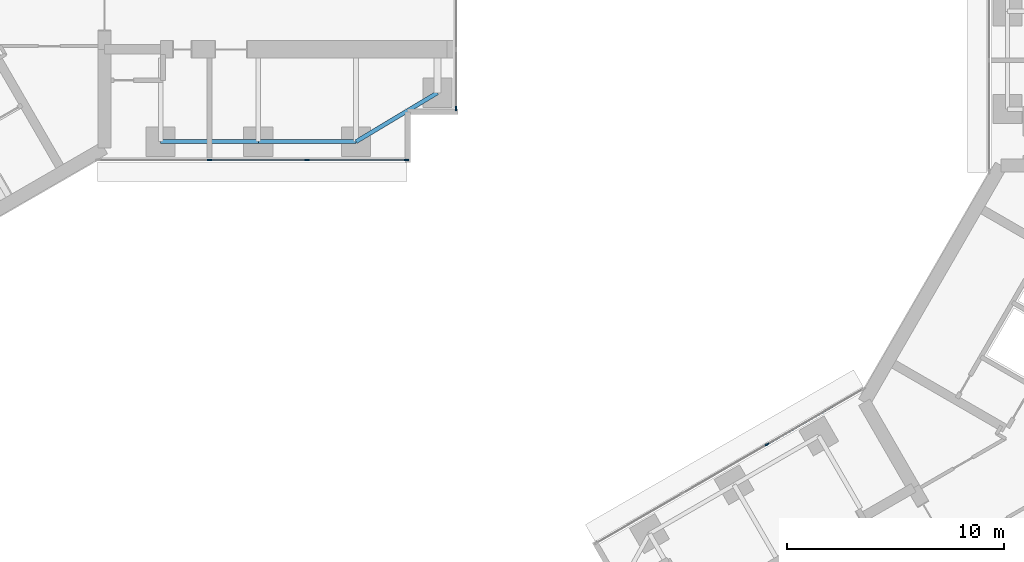
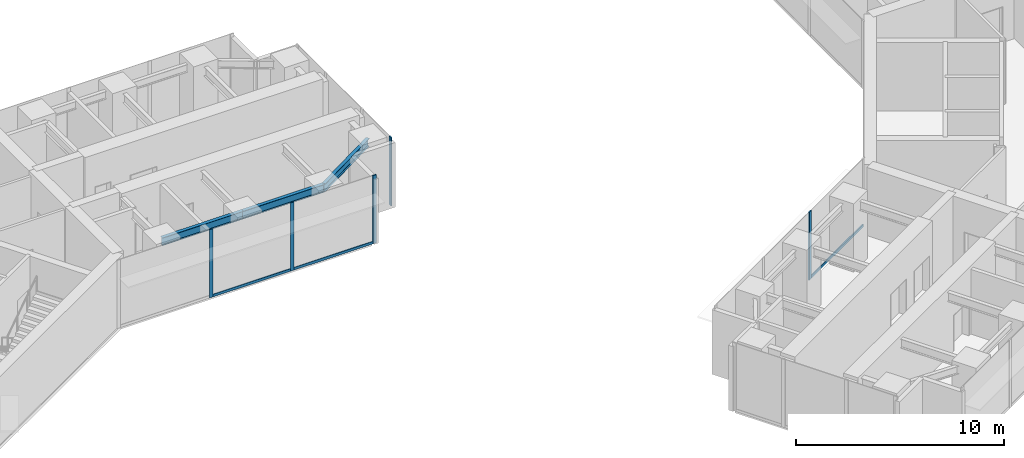
# One storey, part 4 of 21: 8 members, 3 beams, 3 elements without a shape of their own.
"""IFC4 building model written with IfcOpenShell, lengths in metres."""

from ifc_helpers import new_model, si_unit, direction, frame, origin, origin_2d, place, context, subcontext, project, spatial, rectangle, i_section, extrude, material, material_profile, profile_set, type_object, element, aggregate, save


model = new_model("IFC4")

# Units and contexts
model_context = context("Model", 3, precision=1e-05, world=origin(), true_north=direction((0.0, 1.0)))
body_context = subcontext(model_context, "Body", "Model", "MODEL_VIEW")
ifc_project = project(units=[si_unit("LENGTHUNIT", "METRE"), si_unit("AREAUNIT", "SQUARE_METRE"), si_unit("VOLUMEUNIT", "CUBIC_METRE"), si_unit("PLANEANGLEUNIT", "RADIAN"), si_unit("MASSUNIT", "GRAM", prefix="KILO")], contexts=[model_context])

# Site, building, storey
site_placement = place(None, origin())
site = spatial("IfcSite", under=ifc_project, at=site_placement, CompositionType="ELEMENT")
building_placement = place(site_placement, origin())
building = spatial("IfcBuilding", under=site, at=building_placement, Name="Upepo Twin Towers", CompositionType="ELEMENT")
storey_placement = place(building_placement, frame((0.0, 0.0, 101.5)))
storey = spatial("IfcBuildingStorey", under=building, at=storey_placement, Name="L24", CompositionType="ELEMENT", Elevation=101.5)

# Beams
ifc_material_1 = material(Name="Steel S355", Category="steel")
ifc_material_profile_1 = material_profile(ifc_material_1, i_section(OverallWidth=0.1904296875, OverallDepth=0.45703125, WebThickness=0.009033203125, FlangeThickness=0.014404296875, FilletRadius=0.01025390625, at=origin_2d()), Name="UB 457x191x74")
ifc_profile_set_1 = profile_set([ifc_material_profile_1], Name="Steel S355")
beam_type = type_object("IfcBeamType", Name="Beam UB 457x191x74", PredefinedType="BEAM", material=ifc_profile_set_1)
for number, where, z_axis, x_axis, name in (
    (1, (13.5, -6.0, 3.571533203125), (1.0, 0.0, 0.0), (0.0, 1.0, 0.0), "T1 edge beam AR 13.5-18.0"),
    (2, (18.0, -6.0, 3.571533203125), (1.0, 0.0, 0.0), (0.0, 1.0, 0.0), "T1 edge beam AR 18.0-22.5"),
):
    element("IfcBeam", number, at=place(storey_placement, frame(where, z_axis=z_axis, x_axis=x_axis)), inside=storey, type_object=beam_type, Name=name, PredefinedType="BEAM", context=body_context, shape_type="SweptSolid", body=[
        extrude(i_section(OverallWidth=0.1904296875, OverallDepth=0.45703125, WebThickness=0.009033203125, FlangeThickness=0.014404296875, FilletRadius=0.01025390625, at=origin_2d()), origin(), (0.0, 0.0, 1.0), 4.5),
    ])
beam_placement = place(storey_placement, frame((22.5, -6.0, 3.571533203125), z_axis=(0.857492925713, 0.514495755428, 0.0), x_axis=(-0.514495755428, 0.857492925713, 0.0)))
element("IfcBeam", 3, at=beam_placement, inside=storey, type_object=beam_type, Name="T1 nose edge beam AR", PredefinedType="BEAM", context=body_context, shape_type="SweptSolid", body=[
    extrude(i_section(OverallWidth=0.1904296875, OverallDepth=0.45703125, WebThickness=0.009033203125, FlangeThickness=0.014404296875, FilletRadius=0.01025390625, at=origin_2d()), origin(), (0.0, 0.0, 1.0), 4.373291015625),
])

# Curtain wall, members
ifc_material_2 = material(Name="Aluminium and fritted glass", Category="aluminium")
curtain_wall_type = type_object("IfcCurtainWallType", Name="Tower curtain wall TW2, fritted glass", PredefinedType="NOTDEFINED", material=ifc_material_2)
curtain_wall_1_placement = place(storey_placement, origin())
curtain_wall_1 = element("IfcCurtainWall", 4, at=curtain_wall_1_placement, inside=storey, type_object=curtain_wall_type, Name="T1 L24 wing A flank R curtain wall", PredefinedType="NOTDEFINED")
ifc_material_3 = material(Name="Aluminium mullion", Category="aluminium")
ifc_material_profile_2 = material_profile(ifc_material_3, rectangle(XDim=0.06494140625, YDim=0.199951171875, at=origin_2d()), Name="MULLION 65x200")
ifc_profile_set_2 = profile_set([ifc_material_profile_2], Name="Aluminium mullion")
member_type_1 = type_object("IfcMemberType", Name="Mullion 65x200 TW2", PredefinedType="MULLION", material=ifc_profile_set_2)
member_1_placement = place(storey_placement, frame((24.8173828125, -6.85009765625, 0.0), z_axis=(0.0, 0.0, 1.0), x_axis=(0.0, -1.0, 0.0)))
member_1 = element("IfcMember", 5, at=member_1_placement, type_object=member_type_1, Name="T1 L24 wing A flank R curtain wall mullion 1", PredefinedType="MULLION", context=body_context, shape_type="SweptSolid", body=[
    extrude(rectangle(XDim=0.06494140625, YDim=0.199951171875, at=origin_2d()), origin(), (0.0, 0.0, 1.0), 4.0),
])
member_2_placement = place(storey_placement, frame((20.25, -6.85009765625, 0.0), z_axis=(0.0, 0.0, 1.0), x_axis=(0.0, -1.0, 0.0)))
member_2 = element("IfcMember", 6, at=member_2_placement, type_object=member_type_1, Name="T1 L24 wing A flank R curtain wall mullion 2", PredefinedType="MULLION", context=body_context, shape_type="SweptSolid", body=[
    extrude(rectangle(XDim=0.06494140625, YDim=0.199951171875, at=origin_2d()), origin(), (0.0, 0.0, 1.0), 4.0),
])
member_3_placement = place(storey_placement, frame((15.75, -6.85009765625, 0.0), z_axis=(0.0, 0.0, 1.0), x_axis=(0.0, -1.0, 0.0)))
member_3 = element("IfcMember", 7, at=member_3_placement, type_object=member_type_1, Name="T1 L24 wing A flank R curtain wall mullion 3", PredefinedType="MULLION", context=body_context, shape_type="SweptSolid", body=[
    extrude(rectangle(XDim=0.06494140625, YDim=0.199951171875, at=origin_2d()), origin(), (0.0, 0.0, 1.0), 4.0),
])

# Curtain wall, member
curtain_wall_2_placement = place(storey_placement, origin())
curtain_wall_2 = element("IfcCurtainWall", 8, at=curtain_wall_2_placement, inside=storey, type_object=curtain_wall_type, Name="T1 L24 wing A nose curtain wall", PredefinedType="NOTDEFINED")
member_4_placement = place(storey_placement, frame((27.10009765625, -4.467529296875, 0.0), z_axis=(0.0, 0.0, 1.0), x_axis=(-1.0, 0.0, 0.0)))
member_4 = element("IfcMember", 9, at=member_4_placement, type_object=member_type_1, Name="T1 L24 wing A nose curtain wall mullion 1", PredefinedType="MULLION", context=body_context, shape_type="SweptSolid", body=[
    extrude(rectangle(XDim=0.06494140625, YDim=0.199951171875, at=origin_2d()), origin(), (0.0, 0.0, 1.0), 4.0),
])
aggregate(curtain_wall_2, [member_4])

curtain_wall_3_placement = place(storey_placement, origin())
curtain_wall_3 = element("IfcCurtainWall", 10, at=curtain_wall_3_placement, inside=storey, type_object=curtain_wall_type, Name="T2 L24 wing B flank R curtain wall", PredefinedType="NOTDEFINED")
member_5_placement = place(storey_placement, frame((41.43505859375, -19.942626953125, 0.0), z_axis=(0.0, 0.0, 1.0), x_axis=(-0.500000010308, 0.866025397833, 0.0)))
member_5 = element("IfcMember", 11, at=member_5_placement, type_object=member_type_1, Name="T2 L24 wing B flank R curtain wall mullion 3", PredefinedType="MULLION", context=body_context, shape_type="SweptSolid", body=[
    extrude(rectangle(XDim=0.06494140625, YDim=0.199951171875, at=origin_2d()), origin(), (0.0, 0.0, 1.0), 4.0),
])

# Member
ifc_material_4 = material(Name="Aluminium transom", Category="aluminium")
ifc_material_profile_3 = material_profile(ifc_material_4, rectangle(XDim=0.06494140625, YDim=0.14990234375, at=origin_2d()), Name="TRANSOM 65x150")
ifc_profile_set_3 = profile_set([ifc_material_profile_3], Name="Aluminium transom")
member_type_2 = type_object("IfcMemberType", Name="Transom 65x150 TW2", PredefinedType="USERDEFINED", material=ifc_profile_set_3)
member_6_placement = place(storey_placement, frame((24.784912109375, -6.85009765625, 0.074951171875), z_axis=(-1.0, 0.0, 0.0), x_axis=(0.0, -1.0, 0.0)))
member_6 = element("IfcMember", 12, at=member_6_placement, type_object=member_type_2, Name="T1 L24 wing A flank R curtain wall transom 1", ObjectType="TRANSOM", PredefinedType="USERDEFINED", context=body_context, shape_type="SweptSolid", body=[
    extrude(rectangle(XDim=0.06494140625, YDim=0.14990234375, at=origin_2d()), origin(), (0.0, 0.0, 1.0), 4.50244140625),
])

member_7_placement = place(storey_placement, frame((20.217529296875, -6.85009765625, 0.074951171875), z_axis=(-1.0, 0.0, 0.0), x_axis=(0.0, -1.0, 0.0)))
member_7 = element("IfcMember", 13, at=member_7_placement, type_object=member_type_2, Name="T1 L24 wing A flank R curtain wall transom 2", ObjectType="TRANSOM", PredefinedType="USERDEFINED", context=body_context, shape_type="SweptSolid", body=[
    extrude(rectangle(XDim=0.06494140625, YDim=0.14990234375, at=origin_2d()), origin(), (0.0, 0.0, 1.0), 4.43505859375),
])

aggregate(curtain_wall_1, [member_1, member_2, member_3, member_6, member_7])

member_8_placement = place(storey_placement, frame((41.463134765625, -19.926513671875, 0.074951171875), z_axis=(0.866033897268, 0.499985288567, 0.0), x_axis=(-0.499985288567, 0.866033897268, 0.0)))
member_8 = element("IfcMember", 14, at=member_8_placement, type_object=member_type_2, Name="T2 L24 wing B flank R curtain wall transom 3", ObjectType="TRANSOM", PredefinedType="USERDEFINED", context=body_context, shape_type="SweptSolid", body=[
    extrude(rectangle(XDim=0.06494140625, YDim=0.14990234375, at=origin_2d()), origin(), (0.0, 0.0, 1.0), 5.065673828125),
])

aggregate(curtain_wall_3, [member_5, member_8])

save(model, "model.ifc")
